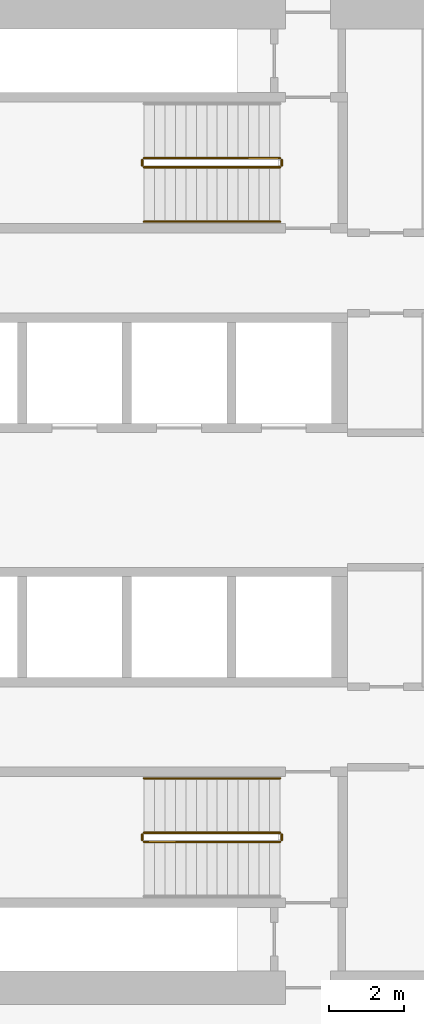
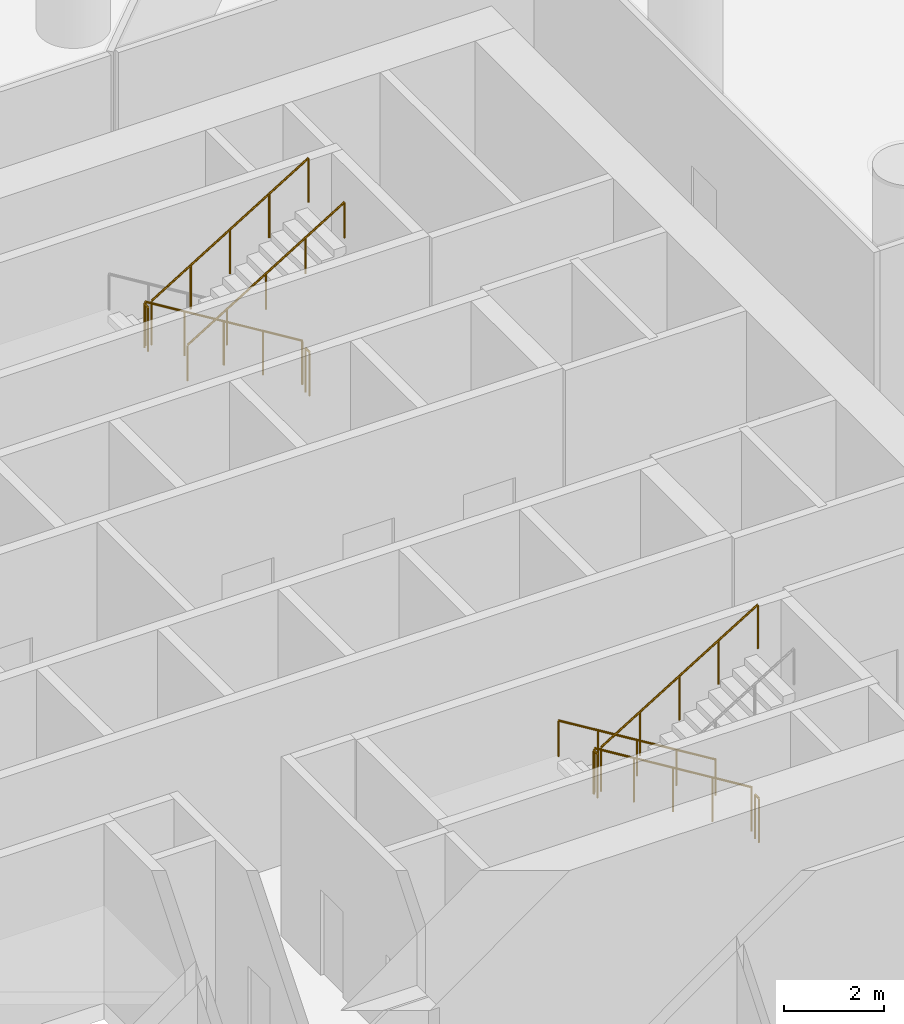
# One storey, part 35 of 42: 10 railings.
"""IFC4 building model written with IfcOpenShell, lengths in metres."""

from ifc_helpers import new_model, si_unit, direction, frame, origin, origin_2d, place, context, subcontext, project, spatial, circle, extrude, material, type_object, element, save


model = new_model("IFC4")

# Units and contexts
model_context = context("Model", 3, precision=1e-05, world=origin(), true_north=direction((0.0, 1.0)))
body_context = subcontext(model_context, "Body", "Model", "MODEL_VIEW")
ifc_project = project(units=[si_unit("LENGTHUNIT", "METRE"), si_unit("AREAUNIT", "SQUARE_METRE"), si_unit("VOLUMEUNIT", "CUBIC_METRE"), si_unit("PLANEANGLEUNIT", "RADIAN"), si_unit("MASSUNIT", "GRAM", prefix="KILO")], contexts=[model_context])

# Site, building, storey
site_placement = place(None, origin())
site = spatial("IfcSite", under=ifc_project, at=site_placement, CompositionType="ELEMENT")
building_placement = place(site_placement, origin())
building = spatial("IfcBuilding", under=site, at=building_placement, Name="Dhurran Vertical Campus", CompositionType="ELEMENT")
storey_placement = place(building_placement, frame((0.0, 0.0, 6.0)))
storey = spatial("IfcBuildingStorey", under=building, at=storey_placement, Name="L01", CompositionType="ELEMENT", Elevation=6.0)

# Railings
ifc_material_1 = material(Name="Stainless steel balustrade", Category="steel")
railing_type_1 = type_object("IfcRailingType", Name="co-RL-GUARD-1100", PredefinedType="GUARDRAIL", material=ifc_material_1)
railing_1_placement = place(storey_placement, frame((11.10009765625, 9.14990234375, 0.17138671875)))
element("IfcRailing", 1, at=railing_1_placement, inside=storey, type_object=railing_type_1, Name="L01 ST2 stair guard 1", PredefinedType="GUARDRAIL", context=body_context, shape_type="SweptSolid", body=[
    extrude(circle(Radius=0.02392578125, at=origin_2d()), frame((0.0, 0.0, 1.076171875), z_axis=(-0.852865859571, 0.0, 0.52213008492), x_axis=(0.0, -1.0, 0.0)), (0.0, 0.0, 1.0), 4.26806640625),
    extrude(circle(Radius=0.02099609375, at=origin_2d()), origin(), (0.0, 0.0, 1.0), 1.052001953125),
    extrude(circle(Radius=0.02099609375, at=origin_2d()), frame((-0.91015625, 0.0, 0.55712890625)), (0.0, 0.0, 1.0), 1.052001953125),
    extrude(circle(Radius=0.02099609375, at=origin_2d()), frame((-1.820068359375, 0.0, 1.1142578125)), (0.0, 0.0, 1.0), 1.052001953125),
    extrude(circle(Radius=0.02099609375, at=origin_2d()), frame((-2.72998046875, 0.0, 1.67138671875)), (0.0, 0.0, 1.0), 1.052001953125),
    extrude(circle(Radius=0.02099609375, at=origin_2d()), frame((-3.64013671875, 0.0, 2.228515625)), (0.0, 0.0, 1.0), 1.052001953125),
])
railing_2_placement = place(storey_placement, frame((7.409912109375, 9.10009765625, 2.39990234375)))
element("IfcRailing", 2, at=railing_2_placement, inside=storey, type_object=railing_type_1, Name="L01 ST2 stair guard 2", PredefinedType="GUARDRAIL", context=body_context, shape_type="SweptSolid", body=[
    extrude(circle(Radius=0.02392578125, at=origin_2d()), frame((0.0, 0.0, 1.076171875), z_axis=(0.0, -1.0, 0.0), x_axis=(1.0, 0.0, 0.0)), (0.0, 0.0, 1.0), 0.150146484375),
    extrude(circle(Radius=0.02099609375, at=origin_2d()), origin(), (0.0, 0.0, 1.0), 1.052001953125),
    extrude(circle(Radius=0.02099609375, at=origin_2d()), frame((0.0, -0.150146484375, 0.0)), (0.0, 0.0, 1.0), 1.052001953125),
])
railing_3_placement = place(storey_placement, frame((7.4599609375, 8.89990234375, 2.571533203125)))
element("IfcRailing", 3, at=railing_3_placement, inside=storey, type_object=railing_type_1, Name="L01 ST2 stair guard 3", PredefinedType="GUARDRAIL", context=body_context, shape_type="SweptSolid", body=[
    extrude(circle(Radius=0.02392578125, at=origin_2d()), frame((0.0, 0.0, 1.076171875), z_axis=(0.852865859571, 0.0, 0.52213008492), x_axis=(0.0, 1.0, 0.0)), (0.0, 0.0, 1.0), 4.26806640625),
    extrude(circle(Radius=0.02099609375, at=origin_2d()), origin(), (0.0, 0.0, 1.0), 1.052001953125),
    extrude(circle(Radius=0.02099609375, at=origin_2d()), frame((0.91015625, 0.0, 0.55712890625)), (0.0, 0.0, 1.0), 1.052001953125),
    extrude(circle(Radius=0.02099609375, at=origin_2d()), frame((1.820068359375, 0.0, 1.1142578125)), (0.0, 0.0, 1.0), 1.052001953125),
    extrude(circle(Radius=0.02099609375, at=origin_2d()), frame((2.72998046875, 0.0, 1.67138671875)), (0.0, 0.0, 1.0), 1.052001953125),
    extrude(circle(Radius=0.02099609375, at=origin_2d()), frame((3.64013671875, 0.0, 2.228515625)), (0.0, 0.0, 1.0), 1.052001953125),
])
railing_4_placement = place(storey_placement, frame((11.14990234375, 9.10009765625, 0.0)))
element("IfcRailing", 4, at=railing_4_placement, inside=storey, type_object=railing_type_1, Name="L01 ST2 stair guard 4", PredefinedType="GUARDRAIL", context=body_context, shape_type="SweptSolid", body=[
    extrude(circle(Radius=0.02392578125, at=origin_2d()), frame((0.0, 0.0, 1.076171875), z_axis=(0.0, -1.0, 0.0), x_axis=(1.0, 0.0, 0.0)), (0.0, 0.0, 1.0), 0.150146484375),
    extrude(circle(Radius=0.02099609375, at=origin_2d()), origin(), (0.0, 0.0, 1.0), 1.052001953125),
    extrude(circle(Radius=0.02099609375, at=origin_2d()), frame((0.0, -0.150146484375, 0.0)), (0.0, 0.0, 1.0), 1.052001953125),
])
railing_5_placement = place(storey_placement, frame((11.10009765625, -8.89990234375, 0.17138671875)))
element("IfcRailing", 5, at=railing_5_placement, inside=storey, type_object=railing_type_1, Name="L01 ST4 stair guard 1", PredefinedType="GUARDRAIL", context=body_context, shape_type="SweptSolid", body=[
    extrude(circle(Radius=0.02392578125, at=origin_2d()), frame((0.0, 0.0, 1.076171875), z_axis=(-0.852865859571, 0.0, 0.52213008492), x_axis=(0.0, -1.0, 0.0)), (0.0, 0.0, 1.0), 4.26806640625),
    extrude(circle(Radius=0.02099609375, at=origin_2d()), origin(), (0.0, 0.0, 1.0), 1.052001953125),
    extrude(circle(Radius=0.02099609375, at=origin_2d()), frame((-0.91015625, 0.0, 0.55712890625)), (0.0, 0.0, 1.0), 1.052001953125),
    extrude(circle(Radius=0.02099609375, at=origin_2d()), frame((-1.820068359375, 0.0, 1.1142578125)), (0.0, 0.0, 1.0), 1.052001953125),
    extrude(circle(Radius=0.02099609375, at=origin_2d()), frame((-2.72998046875, 0.0, 1.67138671875)), (0.0, 0.0, 1.0), 1.052001953125),
    extrude(circle(Radius=0.02099609375, at=origin_2d()), frame((-3.64013671875, 0.0, 2.228515625)), (0.0, 0.0, 1.0), 1.052001953125),
])
railing_6_placement = place(storey_placement, frame((7.409912109375, -8.949951171875, 2.39990234375)))
element("IfcRailing", 6, at=railing_6_placement, inside=storey, type_object=railing_type_1, Name="L01 ST4 stair guard 2", PredefinedType="GUARDRAIL", context=body_context, shape_type="SweptSolid", body=[
    extrude(circle(Radius=0.02392578125, at=origin_2d()), frame((0.0, 0.0, 1.076171875), z_axis=(0.0, -1.0, 0.0), x_axis=(1.0, 0.0, 0.0)), (0.0, 0.0, 1.0), 0.150146484375),
    extrude(circle(Radius=0.02099609375, at=origin_2d()), origin(), (0.0, 0.0, 1.0), 1.052001953125),
    extrude(circle(Radius=0.02099609375, at=origin_2d()), frame((0.0, -0.150146484375, 0.0)), (0.0, 0.0, 1.0), 1.052001953125),
])
railing_7_placement = place(storey_placement, frame((7.4599609375, -9.14990234375, 2.571533203125)))
element("IfcRailing", 7, at=railing_7_placement, inside=storey, type_object=railing_type_1, Name="L01 ST4 stair guard 3", PredefinedType="GUARDRAIL", context=body_context, shape_type="SweptSolid", body=[
    extrude(circle(Radius=0.02392578125, at=origin_2d()), frame((0.0, 0.0, 1.076171875), z_axis=(0.852865859571, 0.0, 0.52213008492), x_axis=(0.0, 1.0, 0.0)), (0.0, 0.0, 1.0), 4.26806640625),
    extrude(circle(Radius=0.02099609375, at=origin_2d()), origin(), (0.0, 0.0, 1.0), 1.052001953125),
    extrude(circle(Radius=0.02099609375, at=origin_2d()), frame((0.91015625, 0.0, 0.55712890625)), (0.0, 0.0, 1.0), 1.052001953125),
    extrude(circle(Radius=0.02099609375, at=origin_2d()), frame((1.820068359375, 0.0, 1.1142578125)), (0.0, 0.0, 1.0), 1.052001953125),
    extrude(circle(Radius=0.02099609375, at=origin_2d()), frame((2.72998046875, 0.0, 1.67138671875)), (0.0, 0.0, 1.0), 1.052001953125),
    extrude(circle(Radius=0.02099609375, at=origin_2d()), frame((3.64013671875, 0.0, 2.228515625)), (0.0, 0.0, 1.0), 1.052001953125),
])
railing_8_placement = place(storey_placement, frame((11.14990234375, -8.949951171875, 0.0)))
element("IfcRailing", 8, at=railing_8_placement, inside=storey, type_object=railing_type_1, Name="L01 ST4 stair guard 4", PredefinedType="GUARDRAIL", context=body_context, shape_type="SweptSolid", body=[
    extrude(circle(Radius=0.02392578125, at=origin_2d()), frame((0.0, 0.0, 1.076171875), z_axis=(0.0, -1.0, 0.0), x_axis=(1.0, 0.0, 0.0)), (0.0, 0.0, 1.0), 0.150146484375),
    extrude(circle(Radius=0.02099609375, at=origin_2d()), origin(), (0.0, 0.0, 1.0), 1.052001953125),
    extrude(circle(Radius=0.02099609375, at=origin_2d()), frame((0.0, -0.150146484375, 0.0)), (0.0, 0.0, 1.0), 1.052001953125),
])
ifc_material_2 = material(Name="Stainless steel handrail", Category="steel")
railing_type_2 = type_object("IfcRailingType", Name="co-RL-HANDRAIL-900", PredefinedType="HANDRAIL", material=ifc_material_2)
railing_9_placement = place(storey_placement, frame((7.4599609375, 7.449951171875, 2.571533203125)))
element("IfcRailing", 9, at=railing_9_placement, inside=storey, type_object=railing_type_2, Name="L01 ST2 stair handrail 2", PredefinedType="HANDRAIL", context=body_context, shape_type="SweptSolid", body=[
    extrude(circle(Radius=0.02392578125, at=origin_2d()), frame((0.0, 0.0, 0.8759765625), z_axis=(0.852865859571, 0.0, 0.52213008492), x_axis=(0.0, 1.0, 0.0)), (0.0, 0.0, 1.0), 4.26806640625),
    extrude(circle(Radius=0.02099609375, at=origin_2d()), origin(), (0.0, 0.0, 1.0), 0.851806640625),
    extrude(circle(Radius=0.02099609375, at=origin_2d()), frame((0.91015625, 0.0, 0.55712890625)), (0.0, 0.0, 1.0), 0.851806640625),
    extrude(circle(Radius=0.02099609375, at=origin_2d()), frame((1.820068359375, 0.0, 1.1142578125)), (0.0, 0.0, 1.0), 0.851806640625),
    extrude(circle(Radius=0.02099609375, at=origin_2d()), frame((2.72998046875, 0.0, 1.67138671875)), (0.0, 0.0, 1.0), 0.851806640625),
    extrude(circle(Radius=0.02099609375, at=origin_2d()), frame((3.64013671875, 0.0, 2.228515625)), (0.0, 0.0, 1.0), 0.851806640625),
])
railing_10_placement = place(storey_placement, frame((11.10009765625, -7.449951171875, 0.17138671875)))
element("IfcRailing", 10, at=railing_10_placement, inside=storey, type_object=railing_type_2, Name="L01 ST4 stair handrail 1", PredefinedType="HANDRAIL", context=body_context, shape_type="SweptSolid", body=[
    extrude(circle(Radius=0.02392578125, at=origin_2d()), frame((0.0, 0.0, 0.8759765625), z_axis=(-0.852865859571, 0.0, 0.52213008492), x_axis=(0.0, -1.0, 0.0)), (0.0, 0.0, 1.0), 4.26806640625),
    extrude(circle(Radius=0.02099609375, at=origin_2d()), origin(), (0.0, 0.0, 1.0), 0.851806640625),
    extrude(circle(Radius=0.02099609375, at=origin_2d()), frame((-0.91015625, 0.0, 0.55712890625)), (0.0, 0.0, 1.0), 0.851806640625),
    extrude(circle(Radius=0.02099609375, at=origin_2d()), frame((-1.820068359375, 0.0, 1.1142578125)), (0.0, 0.0, 1.0), 0.851806640625),
    extrude(circle(Radius=0.02099609375, at=origin_2d()), frame((-2.72998046875, 0.0, 1.67138671875)), (0.0, 0.0, 1.0), 0.851806640625),
    extrude(circle(Radius=0.02099609375, at=origin_2d()), frame((-3.64013671875, 0.0, 2.228515625)), (0.0, 0.0, 1.0), 0.851806640625),
])

save(model, "model.ifc")
